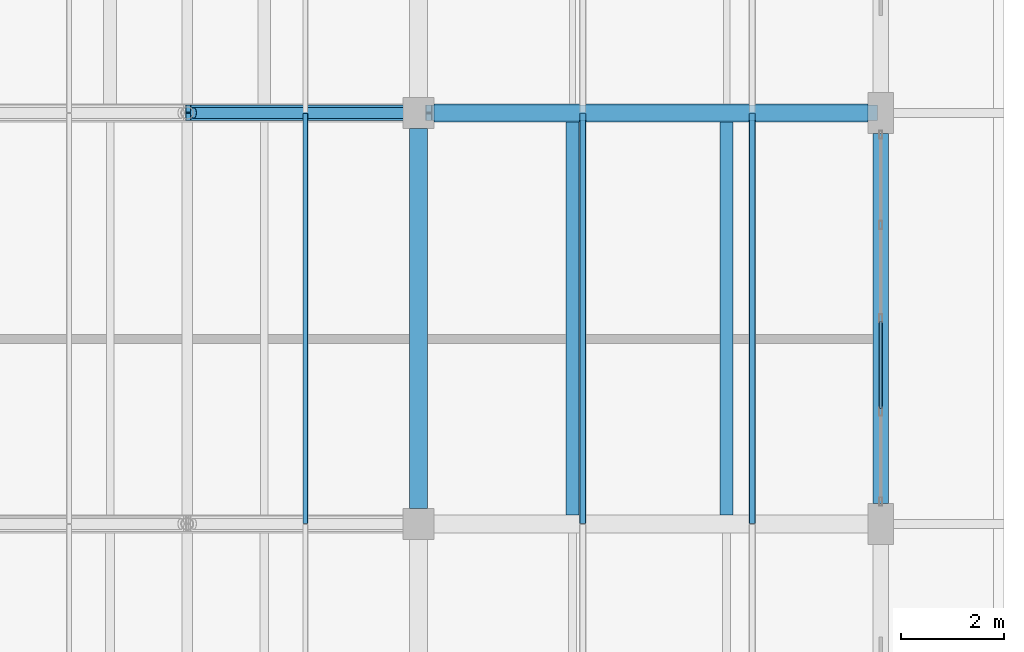
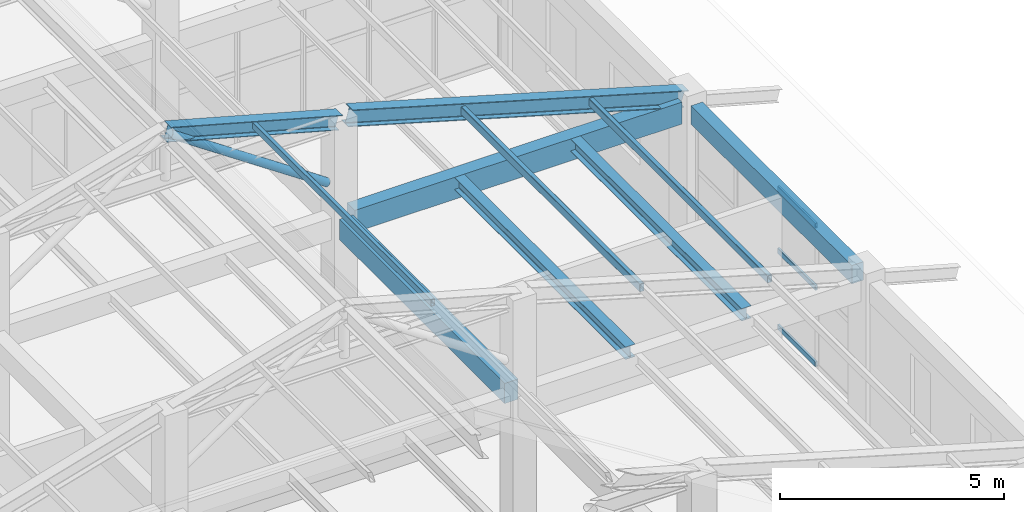
# One storey, part 38 of 58: 7 beams, 7 members, 1 element without a shape of its own.
"""IFC4 building model written with IfcOpenShell, lengths in metres."""

from ifc_helpers import new_model, si_unit, derived_unit, direction, frame, origin, origin_2d, place, context, subcontext, project, spatial, rectangle, hollow_rectangle, hollow_circle, i_section, extrude, material, material_profile, profile_set, type_object, element, aggregate, save


model = new_model("IFC4")

# Units and contexts
model_context = context("Model", 3, precision=1e-05, world=origin(), true_north=direction((0.0, 1.0)))
body_context = subcontext(model_context, "Body", "Model", "MODEL_VIEW")
ifc_project = project(units=[si_unit("LENGTHUNIT", "METRE"), si_unit("AREAUNIT", "SQUARE_METRE"), si_unit("VOLUMEUNIT", "CUBIC_METRE"), si_unit("PLANEANGLEUNIT", "RADIAN"), si_unit("MASSUNIT", "GRAM", prefix="KILO"), derived_unit("THERMALTRANSMITTANCEUNIT", [(si_unit("MASSUNIT", "GRAM", prefix="KILO"), 1), (si_unit("TIMEUNIT", "SECOND"), -3), (si_unit("THERMODYNAMICTEMPERATUREUNIT", "KELVIN"), -1)])], contexts=[model_context])

# Site, building, storey
site_placement = place(None, origin())
site = spatial("IfcSite", under=ifc_project, at=site_placement, CompositionType="ELEMENT")
building_placement = place(site_placement, origin())
building = spatial("IfcBuilding", under=site, at=building_placement, Name="Zhenchuan Archway Interchange", CompositionType="ELEMENT")
storey_placement = place(building_placement, frame((0.0, 0.0, 22.800048828125)))
storey = spatial("IfcBuildingStorey", under=building, at=storey_placement, Name="L05", CompositionType="ELEMENT", Elevation=22.800048828125)

# Beams
ifc_material_1 = material(Name="Concrete C40", Category="concrete")
ifc_material_profile_1 = material_profile(ifc_material_1, rectangle(XDim=0.35009765625, YDim=0.550048828125, at=origin_2d()), Name="RC 350x550")
ifc_profile_set_1 = profile_set([ifc_material_profile_1], Name="Concrete C40")
beam_type_1 = type_object("IfcBeamType", Name="BM_RC_350x550", PredefinedType="BEAM", material=ifc_profile_set_1)
beam_1_placement = place(storey_placement, frame((162.0, 72.300048828125, 3.64501953125), z_axis=(0.0, 1.0, 0.0), x_axis=(-1.0, 0.0, 0.0)))
element("IfcBeam", 1, at=beam_1_placement, inside=storey, type_object=beam_type_1, Name="Beam 19:K-L (L05)", PredefinedType="BEAM", context=body_context, shape_type="SweptSolid", body=[
    extrude(rectangle(XDim=0.35009765625, YDim=0.550048828125, at=origin_2d()), origin(), (0.0, 0.0, 1.0), 7.39990234375),
])
ifc_material_profile_2 = material_profile(ifc_material_1, rectangle(XDim=0.35009765625, YDim=0.60009765625, at=origin_2d()), Name="RC 350x600")
ifc_profile_set_2 = profile_set([ifc_material_profile_2], Name="Concrete C40")
beam_type_2 = type_object("IfcBeamType", Name="BM_RC_350x600", PredefinedType="BEAM", material=ifc_profile_set_2)
beam_2_placement = place(storey_placement, frame((162.300048828125, 80.0, 3.619873046875), z_axis=(1.0, 0.0, 0.0), x_axis=(0.0, 1.0, 0.0)))
element("IfcBeam", 2, at=beam_2_placement, inside=storey, type_object=beam_type_2, Name="Beam L:19-20 (L05)", PredefinedType="BEAM", context=body_context, shape_type="SweptSolid", body=[
    extrude(rectangle(XDim=0.35009765625, YDim=0.60009765625, at=origin_2d()), origin(), (0.0, 0.0, 1.0), 8.449951171875),
])
ifc_material_2 = material(Name="Steel Q355", Category="steel")
ifc_material_profile_3 = material_profile(ifc_material_2, i_section(OverallWidth=0.300048828125, OverallDepth=0.389892578125, WebThickness=0.010009765625, FlangeThickness=0.01611328125, FilletRadius=0.02001953125, at=origin_2d()), Name="HM 390x300")
ifc_profile_set_3 = profile_set([ifc_material_profile_3], Name="Steel Q355")
beam_type_3 = type_object("IfcBeamType", Name="BM_STL_HM390", PredefinedType="BEAM", material=ifc_profile_set_3)
beam_3_placement = place(storey_placement, frame((157.52001953125, 80.0, 7.639892578125), z_axis=(0.964108539649, 0.0, -0.265508425055), x_axis=(0.0, 1.0, 0.0)))
element("IfcBeam", 3, at=beam_3_placement, inside=storey, type_object=beam_type_3, Name="ROOF TRUSS command wing T8 east apex rafter", PredefinedType="BEAM", context=body_context, shape_type="SweptSolid", body=[
    extrude(i_section(OverallWidth=0.300048828125, OverallDepth=0.389892578125, WebThickness=0.010009765625, FlangeThickness=0.01611328125, FilletRadius=0.02001953125, at=origin_2d()), origin(), (0.0, 0.0, 1.0), 4.5947265625),
])
ifc_material_profile_4 = material_profile(ifc_material_2, i_section(OverallWidth=0.300048828125, OverallDepth=0.43994140625, WebThickness=0.010986328125, FlangeThickness=0.01806640625, FilletRadius=0.02197265625, at=origin_2d()), Name="HM 440x300")
ifc_profile_set_4 = profile_set([ifc_material_profile_4], Name="Steel Q355")
beam_type_4 = type_object("IfcBeamType", Name="BM_STL_HM440", PredefinedType="BEAM", material=ifc_profile_set_4)
beam_4_placement = place(storey_placement, frame((162.199951171875, 80.0, 6.449951171875), z_axis=(0.960641143949, 0.0, -0.277792355102), x_axis=(0.0, 1.0, 0.0)))
element("IfcBeam", 4, at=beam_4_placement, inside=storey, type_object=beam_type_4, Name="ROOF TRUSS command wing T8 east lower rafter", PredefinedType="BEAM", context=body_context, shape_type="SweptSolid", body=[
    extrude(i_section(OverallWidth=0.300048828125, OverallDepth=0.43994140625, WebThickness=0.010986328125, FlangeThickness=0.01806640625, FilletRadius=0.02197265625, at=origin_2d()), origin(), (0.0, 0.0, 1.0), 9.03564453125),
])

# Curtain wall, members
ifc_material_3 = material(Name="Anodised Aluminium", Category="aluminium")
curtain_wall_type = type_object("IfcCurtainWallType", Name="CW_UNIT_3", PredefinedType="NOTDEFINED", material=ifc_material_3)
curtain_wall_placement = place(storey_placement, origin())
curtain_wall = element("IfcCurtainWall", 5, at=curtain_wall_placement, inside=storey, type_object=curtain_wall_type, Name="Unitised curtain wall CW:L05:206", PredefinedType="NOTDEFINED")
ifc_material_profile_5 = material_profile(ifc_material_3, hollow_rectangle(XDim=0.06005859375, YDim=0.139892578125, WallThickness=0.00341796875, InnerFilletRadius=0.00341796875, OuterFilletRadius=0.007080078125, at=origin_2d()), Name="ALU 140x60x3.5")
ifc_profile_set_5 = profile_set([ifc_material_profile_5], Name="Anodised Aluminium")
member_type_1 = type_object("IfcMemberType", Name="CW_TRN_140", PredefinedType="USERDEFINED", material=ifc_profile_set_5)
member_1_placement = place(storey_placement, frame((171.0, 75.93994140625, 0.06005859375), z_axis=(0.0, -1.0, 0.0), x_axis=(1.0, 0.0, 0.0)))
member_1 = element("IfcMember", 6, at=member_1_placement, type_object=member_type_1, Name="CW:L05:206 transom 2-1", ObjectType="TRANSOM", PredefinedType="USERDEFINED", context=body_context, shape_type="SweptSolid", body=[
    extrude(hollow_rectangle(XDim=0.06005859375, YDim=0.139892578125, WallThickness=0.00341796875, InnerFilletRadius=0.00341796875, OuterFilletRadius=0.007080078125, at=origin_2d()), origin(), (0.0, 0.0, 1.0), 1.696044921875),
])
member_2_placement = place(storey_placement, frame((171.0, 75.93994140625, 2.14501953125), z_axis=(0.0, -1.0, 0.0), x_axis=(1.0, 0.0, 0.0)))
member_2 = element("IfcMember", 7, at=member_2_placement, type_object=member_type_1, Name="CW:L05:206 transom 2-2", ObjectType="TRANSOM", PredefinedType="USERDEFINED", context=body_context, shape_type="SweptSolid", body=[
    extrude(hollow_rectangle(XDim=0.06005859375, YDim=0.139892578125, WallThickness=0.00341796875, InnerFilletRadius=0.00341796875, OuterFilletRadius=0.007080078125, at=origin_2d()), origin(), (0.0, 0.0, 1.0), 1.696044921875),
])
member_3_placement = place(storey_placement, frame((171.0, 75.93994140625, 3.83984375), z_axis=(0.0, -1.0, 0.0), x_axis=(1.0, 0.0, 0.0)))
member_3 = element("IfcMember", 8, at=member_3_placement, type_object=member_type_1, Name="CW:L05:206 transom 2-3", ObjectType="TRANSOM", PredefinedType="USERDEFINED", context=body_context, shape_type="SweptSolid", body=[
    extrude(hollow_rectangle(XDim=0.06005859375, YDim=0.139892578125, WallThickness=0.00341796875, InnerFilletRadius=0.00341796875, OuterFilletRadius=0.007080078125, at=origin_2d()), origin(), (0.0, 0.0, 1.0), 1.696044921875),
])
aggregate(curtain_wall, [member_1, member_2, member_3])

# Beams
ifc_material_profile_6 = material_profile(ifc_material_2, i_section(OverallWidth=0.25, OverallDepth=0.340087890625, WebThickness=0.009033203125, FlangeThickness=0.013916015625, FilletRadius=0.01806640625, at=origin_2d()), Name="HM 340x250")
ifc_profile_set_6 = profile_set([ifc_material_profile_6], Name="Steel Q355")
beam_type_5 = type_object("IfcBeamType", Name="JST_STL_HM340", PredefinedType="JOIST", material=ifc_profile_set_6)
for number, where, z_axis, x_axis, name in (
    (9, (165.0, 72.175048828125, 3.75), (0.0, 1.0, 0.0), (-1.0, 0.0, 0.0), "Secondary joist 19-20/K-L #1 (L05)"),
    (10, (168.0, 72.175048828125, 3.75), (0.0, 1.0, 0.0), (-1.0, 0.0, 0.0), "Secondary joist 19-20/K-L #2 (L05)"),
):
    element("IfcBeam", number, at=place(storey_placement, frame(where, z_axis=z_axis, x_axis=x_axis)), inside=storey, type_object=beam_type_5, Name=name, PredefinedType="JOIST", context=body_context, shape_type="SweptSolid", body=[
        extrude(i_section(OverallWidth=0.25, OverallDepth=0.340087890625, WebThickness=0.009033203125, FlangeThickness=0.013916015625, FilletRadius=0.01806640625, at=origin_2d()), origin(), (0.0, 0.0, 1.0), 7.64990234375),
    ])

# Members
ifc_material_profile_7 = material_profile(ifc_material_2, hollow_circle(Radius=0.109619140625, WallThickness=0.008056640625, at=origin_2d()), Name="CHS 219x8")
ifc_profile_set_7 = profile_set([ifc_material_profile_7], Name="Steel Q355")
member_type_2 = type_object("IfcMemberType", Name="MB_CHS219", PredefinedType="BRACE", material=ifc_profile_set_7)
member_4_placement = place(storey_placement, frame((161.679931640625, 80.0, 4.800048828125), z_axis=(-0.827937334182, 0.0, 0.560820622541), x_axis=(0.0, -1.0, 0.0)))
element("IfcMember", 11, at=member_4_placement, inside=storey, type_object=member_type_2, Name="ROOF TRUSS command wing T8 east apex diagonal", PredefinedType="BRACE", context=body_context, shape_type="SweptSolid", body=[
    extrude(hollow_circle(Radius=0.109619140625, WallThickness=0.008056640625, at=origin_2d()), origin(), (0.0, 0.0, 1.0), 4.903564453125),
])
ifc_material_profile_8 = material_profile(ifc_material_2, hollow_rectangle(XDim=0.10009765625, YDim=0.179931640625, WallThickness=0.006103515625, InnerFilletRadius=0.006103515625, OuterFilletRadius=0.011962890625, at=origin_2d()), Name="RHS 180x100x6")
ifc_profile_set_8 = profile_set([ifc_material_profile_8], Name="Steel Q355")
member_type_3 = type_object("IfcMemberType", Name="MB_RHS180", PredefinedType="PURLIN", material=ifc_profile_set_8)
member_5_placement = place(storey_placement, frame((159.800048828125, 72.008056640625, 7.02001953125), z_axis=(0.0, 1.0, 0.0), x_axis=(-1.0, 0.0, 0.0)))
element("IfcMember", 12, at=member_5_placement, inside=storey, type_object=member_type_3, Name="Command wing roof purlin B7-P4", PredefinedType="PURLIN", context=body_context, shape_type="SweptSolid", body=[
    extrude(hollow_rectangle(XDim=0.10009765625, YDim=0.179931640625, WallThickness=0.006103515625, InnerFilletRadius=0.006103515625, OuterFilletRadius=0.011962890625, at=origin_2d()), origin(), (0.0, 0.0, 1.0), 7.98388671875),
])
ifc_material_profile_9 = material_profile(ifc_material_2, hollow_rectangle(XDim=0.1201171875, YDim=0.199951171875, WallThickness=0.008056640625, InnerFilletRadius=0.008056640625, OuterFilletRadius=0.01611328125, at=origin_2d()), Name="RHS 200x120x8")
ifc_profile_set_9 = profile_set([ifc_material_profile_9], Name="Steel Q355")
member_type_4 = type_object("IfcMemberType", Name="MB_RHS200", PredefinedType="PURLIN", material=ifc_profile_set_9)
member_6_placement = place(storey_placement, frame((168.5, 72.008056640625, 4.619873046875), z_axis=(0.0, 1.0, 0.0), x_axis=(-1.0, 0.0, 0.0)))
element("IfcMember", 13, at=member_6_placement, inside=storey, type_object=member_type_4, Name="Command wing roof purlin B7-P6", PredefinedType="PURLIN", context=body_context, shape_type="SweptSolid", body=[
    extrude(hollow_rectangle(XDim=0.1201171875, YDim=0.199951171875, WallThickness=0.008056640625, InnerFilletRadius=0.008056640625, OuterFilletRadius=0.01611328125, at=origin_2d()), origin(), (0.0, 0.0, 1.0), 7.98388671875),
])
ifc_material_profile_10 = material_profile(ifc_material_2, hollow_rectangle(XDim=0.1201171875, YDim=0.219970703125, WallThickness=0.008056640625, InnerFilletRadius=0.008056640625, OuterFilletRadius=0.01611328125, at=origin_2d()), Name="RHS 220x120x8")
ifc_profile_set_10 = profile_set([ifc_material_profile_10], Name="Steel Q355")
member_type_5 = type_object("IfcMemberType", Name="MB_RHS220", PredefinedType="PURLIN", material=ifc_profile_set_10)
member_7_placement = place(storey_placement, frame((165.199951171875, 72.008056640625, 5.5400390625), z_axis=(0.0, 1.0, 0.0), x_axis=(-1.0, 0.0, 0.0)))
element("IfcMember", 14, at=member_7_placement, inside=storey, type_object=member_type_5, Name="Command wing roof purlin B7-P5", PredefinedType="PURLIN", context=body_context, shape_type="SweptSolid", body=[
    extrude(hollow_rectangle(XDim=0.1201171875, YDim=0.219970703125, WallThickness=0.008056640625, InnerFilletRadius=0.008056640625, OuterFilletRadius=0.01611328125, at=origin_2d()), origin(), (0.0, 0.0, 1.0), 7.98388671875),
])

# Beam
ifc_material_profile_11 = material_profile(ifc_material_1, rectangle(XDim=0.300048828125, YDim=0.5, at=origin_2d()), Name="RC 300x500")
ifc_profile_set_11 = profile_set([ifc_material_profile_11], Name="Concrete C40")
beam_type_6 = type_object("IfcBeamType", Name="SP_RC_300x500", PredefinedType="SPANDREL", material=ifc_profile_set_11)
beam_5_placement = place(storey_placement, frame((171.0, 72.39990234375, 3.669921875), z_axis=(0.0, 1.0, 0.0), x_axis=(-1.0, 0.0, 0.0)))
element("IfcBeam", 15, at=beam_5_placement, inside=storey, type_object=beam_type_6, Name="Beam 20:K-L (L05)", PredefinedType="SPANDREL", context=body_context, shape_type="SweptSolid", body=[
    extrude(rectangle(XDim=0.300048828125, YDim=0.5, at=origin_2d()), origin(), (0.0, 0.0, 1.0), 7.2001953125),
])

save(model, "model.ifc")
